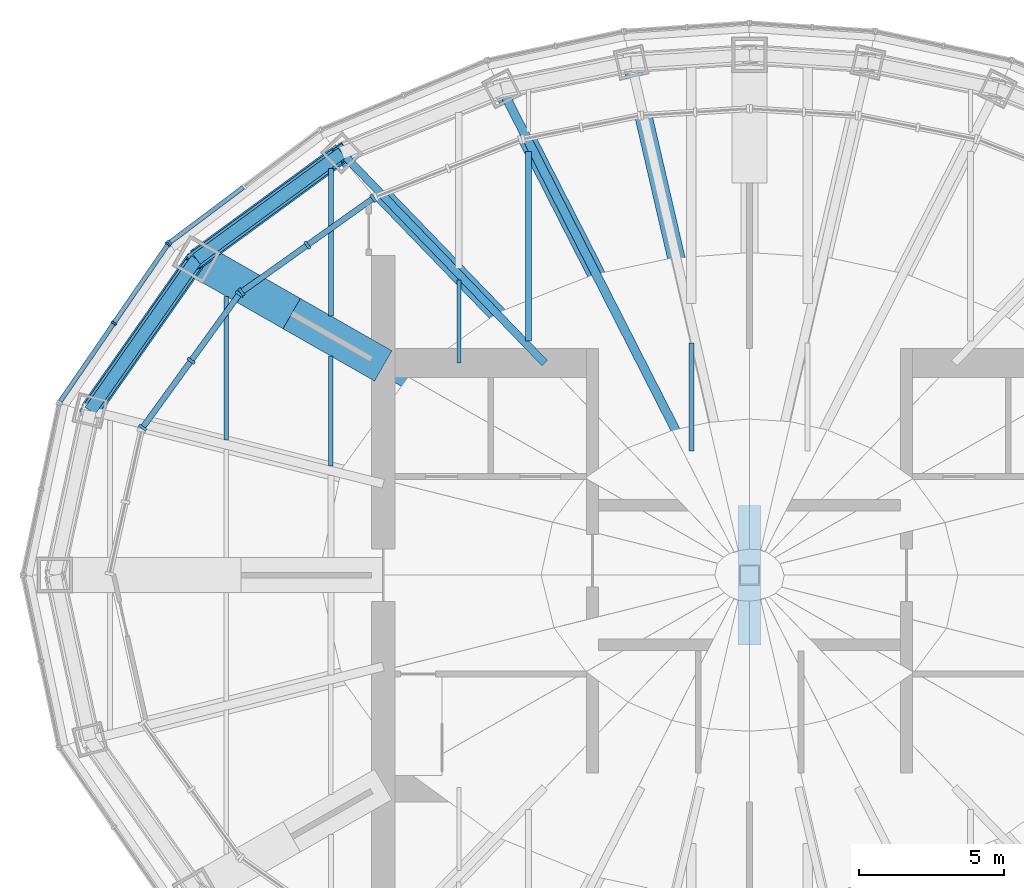
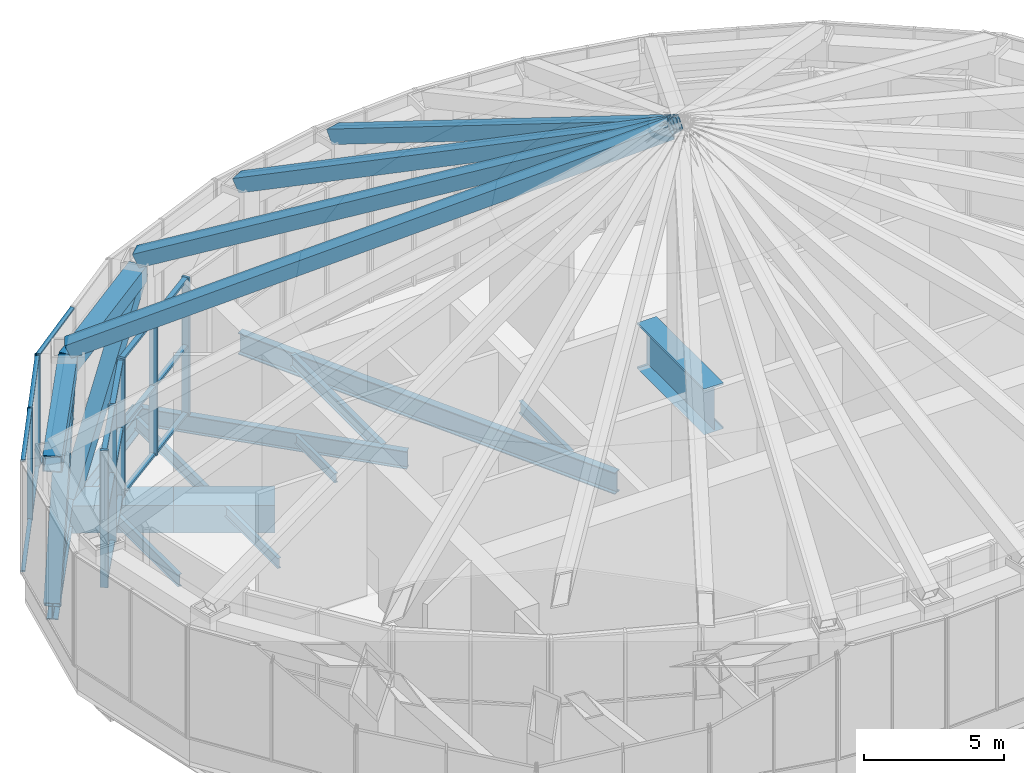
# One storey, part 6 of 21: 33 members, 15 beams, 4 elements without a shape of their own.
"""IFC4 building model written with IfcOpenShell, lengths in metres."""

from ifc_helpers import new_model, si_unit, direction, frame, origin, origin_2d, place, context, subcontext, project, spatial, rectangle, hollow_rectangle, i_section, extrude, material, material_profile, profile_set, type_object, element, aggregate, save


model = new_model("IFC4")

# Units and contexts
model_context = context("Model", 3, precision=1e-05, world=origin(), true_north=direction((0.0, 1.0)))
body_context = subcontext(model_context, "Body", "Model", "MODEL_VIEW")
ifc_project = project(units=[si_unit("LENGTHUNIT", "METRE"), si_unit("AREAUNIT", "SQUARE_METRE"), si_unit("VOLUMEUNIT", "CUBIC_METRE"), si_unit("PLANEANGLEUNIT", "RADIAN"), si_unit("MASSUNIT", "GRAM", prefix="KILO")], contexts=[model_context])

# Site, building, storey
site_placement = place(None, origin())
site = spatial("IfcSite", under=ifc_project, at=site_placement, CompositionType="ELEMENT")
building_placement = place(site_placement, origin())
building = spatial("IfcBuilding", under=site, at=building_placement, Name="Lantaw Convention Tower", CompositionType="ELEMENT")
storey_placement = place(building_placement, frame((0.0, 0.0, 290.39990234375)))
storey = spatial("IfcBuildingStorey", under=building, at=storey_placement, Name="L67", CompositionType="ELEMENT", Elevation=290.39990234375)

# Beams
ifc_material_1 = material(Name="Steel ASTM A992", Category="steel")
ifc_material_profile_1 = material_profile(ifc_material_1, i_section(OverallWidth=0.424072265625, OverallDepth=0.947509765625, WebThickness=0.02392578125, FlangeThickness=0.042724609375, FilletRadius=0.012451171875, at=origin_2d()), Name="W36X302")
ifc_profile_set_1 = profile_set([ifc_material_profile_1], Name="Steel ASTM A992")
beam_type_1 = type_object("IfcBeamType", Name="Beam BC W36X302", PredefinedType="SPANDREL", material=ifc_profile_set_1)
beam_1_placement = place(storey_placement, frame((-14.027587890625, 14.526123046875, -0.673583984375), z_axis=(-0.807371616826, -0.59004328006, 0.0), x_axis=(0.59004328006, -0.807371616826, 0.0)))
element("IfcBeam", 1, at=beam_1_placement, inside=storey, type_object=beam_type_1, Name="Belt truss chord 10", PredefinedType="SPANDREL", context=body_context, shape_type="SweptSolid", body=[
    extrude(i_section(OverallWidth=0.424072265625, OverallDepth=0.947509765625, WebThickness=0.02392578125, FlangeThickness=0.042724609375, FilletRadius=0.012451171875, at=origin_2d()), origin(), (0.0, 0.0, 1.0), 6.192138671875),
])
beam_2_placement = place(storey_placement, frame((-19.02685546875, 10.87255859375, -0.673583984375), z_axis=(-0.574400527612, -0.81857439117, 0.0), x_axis=(0.81857439117, -0.574400527612, 0.0)))
element("IfcBeam", 2, at=beam_2_placement, inside=storey, type_object=beam_type_1, Name="Belt truss chord 11", PredefinedType="SPANDREL", context=body_context, shape_type="SweptSolid", body=[
    extrude(i_section(OverallWidth=0.424072265625, OverallDepth=0.947509765625, WebThickness=0.02392578125, FlangeThickness=0.042724609375, FilletRadius=0.012451171875, at=origin_2d()), origin(), (0.0, 0.0, 1.0), 6.3720703125),
])
ifc_material_2 = material(Name="Steel EN 10025-3 S460N", Category="steel")
ifc_material_profile_2 = material_profile(ifc_material_2, hollow_rectangle(XDim=1.199951171875, YDim=1.199951171875, WallThickness=0.10009765625, at=origin_2d()), Name="BOX1200X100")
ifc_profile_set_2 = profile_set([ifc_material_profile_2], Name="Steel EN 10025-3 S460N")
beam_type_2 = type_object("IfcBeamType", Name="Beam G BOX1200X100", PredefinedType="BEAM", material=ifc_profile_set_2)
beam_3_placement = place(storey_placement, frame((-15.75, 9.0, -0.7998046875), z_axis=(-0.868235180478, 0.496152870978, 0.0), x_axis=(-0.496152870978, -0.868235180478, 0.0)))
element("IfcBeam", 3, at=beam_3_placement, inside=storey, type_object=beam_type_2, Name="Floor girder on ray 11", PredefinedType="BEAM", context=body_context, shape_type="SweptSolid", body=[
    extrude(hollow_rectangle(XDim=1.199951171875, YDim=1.199951171875, WallThickness=0.10009765625, at=origin_2d()), origin(), (0.0, 0.0, 1.0), 3.774169921875),
])
ifc_material_profile_3 = material_profile(ifc_material_1, i_section(OverallWidth=0.2666015625, OverallDepth=0.76953125, WebThickness=0.015625, FlangeThickness=0.025390625, FilletRadius=0.0126953125, at=origin_2d()), Name="W30X132")
ifc_profile_set_3 = profile_set([ifc_material_profile_3], Name="Steel ASTM A992")
beam_type_3 = type_object("IfcBeamType", Name="Beam G W30X132", PredefinedType="BEAM", material=ifc_profile_set_3)
beam_4_placement = place(storey_placement, frame((-7.049560546875, 7.300048828125, -0.584716796875), z_axis=(-0.694652631285, 0.71934534255, 0.0), x_axis=(-0.71934534255, -0.694652631285, 0.0)))
element("IfcBeam", 4, at=beam_4_placement, inside=storey, type_object=beam_type_3, Name="Floor girder on ray 10", PredefinedType="BEAM", context=body_context, shape_type="SweptSolid", body=[
    extrude(i_section(OverallWidth=0.2666015625, OverallDepth=0.76953125, WebThickness=0.015625, FlangeThickness=0.025390625, FilletRadius=0.0126953125, at=origin_2d()), origin(), (0.0, 0.0, 1.0), 10.04541015625),
])
ifc_material_profile_4 = material_profile(ifc_material_1, i_section(OverallWidth=0.307373046875, OverallDepth=0.9423828125, WebThickness=0.022216796875, FlangeThickness=0.039794921875, FilletRadius=0.0126953125, at=origin_2d()), Name="W36X232")
ifc_profile_set_4 = profile_set([ifc_material_profile_4], Name="Steel ASTM A992")
beam_type_4 = type_object("IfcBeamType", Name="Beam G W36X232", PredefinedType="BEAM", material=ifc_profile_set_4)
beam_5_placement = place(storey_placement, frame((-1.222900390625, 2.39990234375, -0.671142578125), z_axis=(-0.453985554173, 0.891009044063, 0.0), x_axis=(-0.891009044063, -0.453985554173, 0.0)))
element("IfcBeam", 5, at=beam_5_placement, inside=storey, type_object=beam_type_4, Name="Floor girder on ray 9", PredefinedType="BEAM", context=body_context, shape_type="SweptSolid", body=[
    extrude(i_section(OverallWidth=0.307373046875, OverallDepth=0.9423828125, WebThickness=0.022216796875, FlangeThickness=0.039794921875, FilletRadius=0.0126953125, at=origin_2d()), origin(), (0.0, 0.0, 1.0), 16.091796875),
])
ifc_material_profile_5 = material_profile(ifc_material_1, i_section(OverallWidth=0.140380859375, OverallDepth=0.40380859375, WebThickness=0.007080078125, FlangeThickness=0.01123046875, FilletRadius=0.01025390625, at=origin_2d()), Name="W16X31")
ifc_profile_set_5 = profile_set([ifc_material_profile_5], Name="Steel ASTM A992")
beam_type_5 = type_object("IfcBeamType", Name="Beam J W16X31", PredefinedType="JOIST", material=ifc_profile_set_5)
beam_6_placement = place(storey_placement, frame((-10.0, 7.300048828125, -0.40185546875), z_axis=(0.0, 1.0, 0.0), x_axis=(-1.0, 0.0, 0.0)))
element("IfcBeam", 6, at=beam_6_placement, inside=storey, type_object=beam_type_5, Name="Floor joist", PredefinedType="JOIST", context=body_context, shape_type="SweptSolid", body=[
    extrude(i_section(OverallWidth=0.140380859375, OverallDepth=0.40380859375, WebThickness=0.007080078125, FlangeThickness=0.01123046875, FilletRadius=0.01025390625, at=origin_2d()), origin(), (0.0, 0.0, 1.0), 2.86328125),
])
ifc_material_profile_6 = material_profile(ifc_material_1, i_section(OverallWidth=0.15234375, OverallDepth=0.449462890625, WebThickness=0.007568359375, FlangeThickness=0.0107421875, FilletRadius=0.01025390625, at=origin_2d()), Name="W18X35")
ifc_profile_set_6 = profile_set([ifc_material_profile_6], Name="Steel ASTM A992")
beam_type_6 = type_object("IfcBeamType", Name="Beam J W18X35", PredefinedType="JOIST", material=ifc_profile_set_6)
beam_7_placement = place(storey_placement, frame((-14.39990234375, 3.748779296875, -0.4248046875), z_axis=(0.0, 1.0, 0.0), x_axis=(-1.0, 0.0, 0.0)))
element("IfcBeam", 7, at=beam_7_placement, inside=storey, type_object=beam_type_6, Name="Floor joist", PredefinedType="JOIST", context=body_context, shape_type="SweptSolid", body=[
    extrude(i_section(OverallWidth=0.15234375, OverallDepth=0.449462890625, WebThickness=0.007568359375, FlangeThickness=0.0107421875, FilletRadius=0.01025390625, at=origin_2d()), origin(), (0.0, 0.0, 1.0), 3.788818359375),
])
ifc_material_profile_7 = material_profile(ifc_material_1, i_section(OverallWidth=0.165771484375, OverallDepth=0.5283203125, WebThickness=0.009765625, FlangeThickness=0.013671875, FilletRadius=0.012939453125, at=origin_2d()), Name="W21X50")
ifc_profile_set_7 = profile_set([ifc_material_profile_7], Name="Steel ASTM A992")
beam_type_7 = type_object("IfcBeamType", Name="Beam J W21X50", PredefinedType="JOIST", material=ifc_profile_set_7)
beam_8_placement = place(storey_placement, frame((-18.0, 4.646240234375, -0.464111328125), z_axis=(0.0, 1.0, 0.0), x_axis=(-1.0, 0.0, 0.0)))
element("IfcBeam", 8, at=beam_8_placement, inside=storey, type_object=beam_type_7, Name="Floor joist", PredefinedType="JOIST", context=body_context, shape_type="SweptSolid", body=[
    extrude(i_section(OverallWidth=0.165771484375, OverallDepth=0.5283203125, WebThickness=0.009765625, FlangeThickness=0.013671875, FilletRadius=0.012939453125, at=origin_2d()), origin(), (0.0, 0.0, 1.0), 4.948486328125),
])
beam_9_placement = place(storey_placement, frame((-14.39990234375, 8.919677734375, -0.464111328125), z_axis=(0.0, 1.0, 0.0), x_axis=(-1.0, 0.0, 0.0)))
element("IfcBeam", 9, at=beam_9_placement, inside=storey, type_object=beam_type_7, Name="Floor joist", PredefinedType="JOIST", context=body_context, shape_type="SweptSolid", body=[
    extrude(i_section(OverallWidth=0.165771484375, OverallDepth=0.5283203125, WebThickness=0.009765625, FlangeThickness=0.013671875, FilletRadius=0.012939453125, at=origin_2d()), origin(), (0.0, 0.0, 1.0), 5.071533203125),
])
beam_10_placement = place(storey_placement, frame((-2.0, 4.263671875, -0.464111328125), z_axis=(0.0, 1.0, 0.0), x_axis=(-1.0, 0.0, 0.0)))
element("IfcBeam", 10, at=beam_10_placement, inside=storey, type_object=beam_type_7, Name="Floor joist", PredefinedType="JOIST", context=body_context, shape_type="SweptSolid", body=[
    extrude(i_section(OverallWidth=0.165771484375, OverallDepth=0.5283203125, WebThickness=0.009765625, FlangeThickness=0.013671875, FilletRadius=0.012939453125, at=origin_2d()), origin(), (0.0, 0.0, 1.0), 3.716064453125),
])
ifc_material_profile_8 = material_profile(ifc_material_1, i_section(OverallWidth=0.209228515625, OverallDepth=0.533447265625, WebThickness=0.01025390625, FlangeThickness=0.015625, FilletRadius=0.012939453125, at=origin_2d()), Name="W21X62")
ifc_profile_set_8 = profile_set([ifc_material_profile_8], Name="Steel ASTM A992")
beam_type_8 = type_object("IfcBeamType", Name="Beam J W21X62", PredefinedType="JOIST", material=ifc_profile_set_8)
beam_11_placement = place(storey_placement, frame((-7.60009765625, 8.06201171875, -0.466552734375), z_axis=(0.0, 1.0, 0.0), x_axis=(-1.0, 0.0, 0.0)))
element("IfcBeam", 11, at=beam_11_placement, inside=storey, type_object=beam_type_8, Name="Floor joist", PredefinedType="JOIST", context=body_context, shape_type="SweptSolid", body=[
    extrude(i_section(OverallWidth=0.209228515625, OverallDepth=0.533447265625, WebThickness=0.01025390625, FlangeThickness=0.015625, FilletRadius=0.012939453125, at=origin_2d()), origin(), (0.0, 0.0, 1.0), 6.515380859375),
])
ifc_material_profile_9 = material_profile(ifc_material_2, hollow_rectangle(XDim=1.199951171875, YDim=1.199951171875, WallThickness=0.10009765625, at=origin_2d()), Name="BOX1200X100")
ifc_profile_set_9 = profile_set([ifc_material_profile_9], Name="Steel EN 10025-3 S460N")
beam_type_9 = type_object("IfcBeamType", Name="Beam OC BOX1200X100", PredefinedType="BEAM", material=ifc_profile_set_9)
beam_12_placement = place(storey_placement, frame((-12.60009765625, 7.199951171875, -0.7998046875), z_axis=(-0.868230718294, 0.496160679428, 0.0), x_axis=(-0.496160679428, -0.868230718294, 0.0)))
element("IfcBeam", 12, at=beam_12_placement, inside=storey, type_object=beam_type_9, Name="Outrigger chord on ray 11", PredefinedType="BEAM", context=body_context, shape_type="SweptSolid", body=[
    extrude(hollow_rectangle(XDim=1.199951171875, YDim=1.199951171875, WallThickness=0.10009765625, at=origin_2d()), origin(), (0.0, 0.0, 1.0), 3.6279296875),
])
ifc_material_3 = material(Name="Steel ASTM A572 Grade 50", Category="steel")
ifc_material_profile_10 = material_profile(ifc_material_3, i_section(OverallWidth=0.800048828125, OverallDepth=2.0, WebThickness=0.030029296875, FlangeThickness=0.080078125, at=origin_2d()), Name="PG2000X800X30X80")
ifc_profile_set_10 = profile_set([ifc_material_profile_10], Name="Steel ASTM A572 Grade 50")
beam_type_10 = type_object("IfcBeamType", Name="Beam crown mast girder PG2000X800X30X80", PredefinedType="BEAM", material=ifc_profile_set_10)
beam_13_placement = place(storey_placement, frame((0.0, -2.39990234375, 5.0), z_axis=(0.0, 1.0, 0.0), x_axis=(-1.0, 0.0, 0.0)))
element("IfcBeam", 13, at=beam_13_placement, inside=storey, type_object=beam_type_10, Name="Crown mast girder", PredefinedType="BEAM", context=body_context, shape_type="SweptSolid", body=[
    extrude(i_section(OverallWidth=0.800048828125, OverallDepth=2.0, WebThickness=0.030029296875, FlangeThickness=0.080078125, at=origin_2d()), origin(), (0.0, 0.0, 1.0), 4.7998046875),
])
ifc_material_profile_11 = material_profile(ifc_material_3, hollow_rectangle(XDim=0.699951171875, YDim=0.699951171875, WallThickness=0.0400390625, at=origin_2d()), Name="BOX700X40")
ifc_profile_set_11 = profile_set([ifc_material_profile_11], Name="Steel ASTM A572 Grade 50")
beam_type_11 = type_object("IfcBeamType", Name="Beam crown ring BOX700X40", PredefinedType="SPANDREL", material=ifc_profile_set_11)
beam_14_placement = place(storey_placement, frame((-14.027587890625, 14.526123046875, 5.650146484375), z_axis=(-0.807371616826, -0.59004328006, 0.0), x_axis=(0.59004328006, -0.807371616826, 0.0)))
element("IfcBeam", 14, at=beam_14_placement, inside=storey, type_object=beam_type_11, Name="Crown ring beam", PredefinedType="SPANDREL", context=body_context, shape_type="SweptSolid", body=[
    extrude(hollow_rectangle(XDim=0.699951171875, YDim=0.699951171875, WallThickness=0.0400390625, at=origin_2d()), origin(), (0.0, 0.0, 1.0), 6.192138671875),
])
beam_15_placement = place(storey_placement, frame((-19.02685546875, 10.87255859375, 5.650146484375), z_axis=(-0.574400527612, -0.81857439117, 0.0), x_axis=(0.81857439117, -0.574400527612, 0.0)))
element("IfcBeam", 15, at=beam_15_placement, inside=storey, type_object=beam_type_11, Name="Crown ring beam", PredefinedType="SPANDREL", context=body_context, shape_type="SweptSolid", body=[
    extrude(hollow_rectangle(XDim=0.699951171875, YDim=0.699951171875, WallThickness=0.0400390625, at=origin_2d()), origin(), (0.0, 0.0, 1.0), 6.3720703125),
])

# Curtain wall, members
ifc_material_4 = material(Name="Aluminium framed curtain wall", Category="aluminium")
curtain_wall_type_1 = type_object("IfcCurtainWallType", Name="LANTERN glazing curtain wall, pale aluminium", PredefinedType="USERDEFINED", material=ifc_material_4)
curtain_wall_1_placement = place(storey_placement, origin())
curtain_wall_1 = element("IfcCurtainWall", 16, at=curtain_wall_1_placement, inside=storey, type_object=curtain_wall_type_1, Name="LANTERN glazing curtain wall, pale aluminium L67", ObjectType="LANTERN GLAZING", PredefinedType="USERDEFINED")
ifc_material_5 = material(Name="Aluminium 6063-T6", Category="aluminium")
ifc_material_profile_12 = material_profile(ifc_material_5, rectangle(XDim=0.300048828125, YDim=0.10009765625, at=origin_2d()), Name="CW-LN mullion 100x300")
ifc_profile_set_12 = profile_set([ifc_material_profile_12], Name="Aluminium 6063-T6")
member_type_1 = type_object("IfcMemberType", Name="CW-LN mullion 100x300", PredefinedType="MULLION", material=ifc_profile_set_12)
member_1_placement = place(storey_placement, frame((-12.946533203125, 12.966552734375, 0.0), z_axis=(0.0, 0.0, 1.0), x_axis=(0.579683901346, -0.814841441337, 0.0)))
member_1 = element("IfcMember", 17, at=member_1_placement, type_object=member_type_1, Name="CW-LN mullion 1", PredefinedType="MULLION", context=body_context, shape_type="SweptSolid", body=[
    extrude(rectangle(XDim=0.300048828125, YDim=0.10009765625, at=origin_2d()), origin(), (0.0, 0.0, 1.0), 6.0),
])
member_2_placement = place(storey_placement, frame((-15.212158203125, 11.354736328125, 0.0), z_axis=(0.0, 0.0, 1.0), x_axis=(0.579683901346, -0.814841441337, 0.0)))
member_2 = element("IfcMember", 18, at=member_2_placement, type_object=member_type_1, Name="CW-LN mullion 2", PredefinedType="MULLION", context=body_context, shape_type="SweptSolid", body=[
    extrude(rectangle(XDim=0.300048828125, YDim=0.10009765625, at=origin_2d()), origin(), (0.0, 0.0, 1.0), 6.0),
])
member_3_placement = place(storey_placement, frame((-17.477783203125, 9.7431640625, 0.0), z_axis=(0.0, 0.0, 1.0), x_axis=(0.579683901346, -0.814841441337, 0.0)))
member_3 = element("IfcMember", 19, at=member_3_placement, type_object=member_type_1, Name="CW-LN mullion 3", PredefinedType="MULLION", context=body_context, shape_type="SweptSolid", body=[
    extrude(rectangle(XDim=0.300048828125, YDim=0.10009765625, at=origin_2d()), origin(), (0.0, 0.0, 1.0), 6.0),
])

curtain_wall_2_placement = place(storey_placement, origin())
curtain_wall_2 = element("IfcCurtainWall", 20, at=curtain_wall_2_placement, inside=storey, type_object=curtain_wall_type_1, Name="LANTERN glazing curtain wall, pale aluminium L67", ObjectType="LANTERN GLAZING", PredefinedType="USERDEFINED")
member_4_placement = place(storey_placement, frame((-17.5478515625, 9.673583984375, 0.0), z_axis=(0.0, 0.0, 1.0), x_axis=(0.809741800193, -0.586786346995, 0.0)))
member_4 = element("IfcMember", 21, at=member_4_placement, type_object=member_type_1, Name="CW-LN mullion 1", PredefinedType="MULLION", context=body_context, shape_type="SweptSolid", body=[
    extrude(rectangle(XDim=0.300048828125, YDim=0.10009765625, at=origin_2d()), origin(), (0.0, 0.0, 1.0), 6.0),
])
member_5_placement = place(storey_placement, frame((-19.213623046875, 7.375, 0.0), z_axis=(0.0, 0.0, 1.0), x_axis=(0.809741800193, -0.586786346995, 0.0)))
member_5 = element("IfcMember", 22, at=member_5_placement, type_object=member_type_1, Name="CW-LN mullion 2", PredefinedType="MULLION", context=body_context, shape_type="SweptSolid", body=[
    extrude(rectangle(XDim=0.300048828125, YDim=0.10009765625, at=origin_2d()), origin(), (0.0, 0.0, 1.0), 6.0),
])
member_6_placement = place(storey_placement, frame((-20.87939453125, 5.076171875, 0.0), z_axis=(0.0, 0.0, 1.0), x_axis=(0.809741800193, -0.586786346995, 0.0)))
member_6 = element("IfcMember", 23, at=member_6_placement, type_object=member_type_1, Name="CW-LN mullion 3", PredefinedType="MULLION", context=body_context, shape_type="SweptSolid", body=[
    extrude(rectangle(XDim=0.300048828125, YDim=0.10009765625, at=origin_2d()), origin(), (0.0, 0.0, 1.0), 6.0),
])

# Member
ifc_material_profile_13 = material_profile(ifc_material_5, rectangle(XDim=0.199951171875, YDim=0.10009765625, at=origin_2d()), Name="CW-LN transom 100x200")
ifc_profile_set_13 = profile_set([ifc_material_profile_13], Name="Aluminium 6063-T6")
member_type_2 = type_object("IfcMemberType", Name="CW-LN transom 100x200", PredefinedType="USERDEFINED", material=ifc_profile_set_13)
member_7_placement = place(storey_placement, frame((-12.9873046875, 12.9375, 0.050048828125), z_axis=(-0.814852067311, -0.579668964495, 0.0), x_axis=(0.579668964495, -0.814852067311, 0.0)))
member_7 = element("IfcMember", 24, at=member_7_placement, type_object=member_type_2, Name="CW-LN transom 1.1", ObjectType="TRANSOM", PredefinedType="USERDEFINED", context=body_context, shape_type="SweptSolid", body=[
    extrude(rectangle(XDim=0.199951171875, YDim=0.10009765625, at=origin_2d()), origin(), (0.0, 0.0, 1.0), 2.680419921875),
])

member_8_placement = place(storey_placement, frame((-12.9873046875, 12.9375, 3.0), z_axis=(-0.814852067311, -0.579668964495, 0.0), x_axis=(0.579668964495, -0.814852067311, 0.0)))
member_8 = element("IfcMember", 25, at=member_8_placement, type_object=member_type_2, Name="CW-LN transom 1.2", ObjectType="TRANSOM", PredefinedType="USERDEFINED", context=body_context, shape_type="SweptSolid", body=[
    extrude(rectangle(XDim=0.199951171875, YDim=0.10009765625, at=origin_2d()), origin(), (0.0, 0.0, 1.0), 2.680419921875),
])

member_9_placement = place(storey_placement, frame((-12.9873046875, 12.9375, 5.9501953125), z_axis=(-0.814852067311, -0.579668964495, 0.0), x_axis=(0.579668964495, -0.814852067311, 0.0)))
member_9 = element("IfcMember", 26, at=member_9_placement, type_object=member_type_2, Name="CW-LN transom 1.3", ObjectType="TRANSOM", PredefinedType="USERDEFINED", context=body_context, shape_type="SweptSolid", body=[
    extrude(rectangle(XDim=0.199951171875, YDim=0.10009765625, at=origin_2d()), origin(), (0.0, 0.0, 1.0), 2.680419921875),
])

member_10_placement = place(storey_placement, frame((-15.2529296875, 11.325927734375, 0.050048828125), z_axis=(-0.814809043546, -0.579729439098, 0.0), x_axis=(0.579729439098, -0.814809043546, 0.0)))
member_10 = element("IfcMember", 27, at=member_10_placement, type_object=member_type_2, Name="CW-LN transom 2.1", ObjectType="TRANSOM", PredefinedType="USERDEFINED", context=body_context, shape_type="SweptSolid", body=[
    extrude(rectangle(XDim=0.199951171875, YDim=0.10009765625, at=origin_2d()), origin(), (0.0, 0.0, 1.0), 2.680419921875),
])

member_11_placement = place(storey_placement, frame((-15.2529296875, 11.325927734375, 3.0), z_axis=(-0.814809043546, -0.579729439098, 0.0), x_axis=(0.579729439098, -0.814809043546, 0.0)))
member_11 = element("IfcMember", 28, at=member_11_placement, type_object=member_type_2, Name="CW-LN transom 2.2", ObjectType="TRANSOM", PredefinedType="USERDEFINED", context=body_context, shape_type="SweptSolid", body=[
    extrude(rectangle(XDim=0.199951171875, YDim=0.10009765625, at=origin_2d()), origin(), (0.0, 0.0, 1.0), 2.680419921875),
])

member_12_placement = place(storey_placement, frame((-15.2529296875, 11.325927734375, 5.9501953125), z_axis=(-0.814809043546, -0.579729439098, 0.0), x_axis=(0.579729439098, -0.814809043546, 0.0)))
member_12 = element("IfcMember", 29, at=member_12_placement, type_object=member_type_2, Name="CW-LN transom 2.3", ObjectType="TRANSOM", PredefinedType="USERDEFINED", context=body_context, shape_type="SweptSolid", body=[
    extrude(rectangle(XDim=0.199951171875, YDim=0.10009765625, at=origin_2d()), origin(), (0.0, 0.0, 1.0), 2.680419921875),
])

aggregate(curtain_wall_1, [member_1, member_2, member_3, member_7, member_8, member_9, member_10, member_11, member_12])

member_13_placement = place(storey_placement, frame((-17.5771484375, 9.633056640625, 0.050048828125), z_axis=(-0.586798118951, -0.809733269414, 0.0), x_axis=(0.809733269414, -0.586798118951, 0.0)))
member_13 = element("IfcMember", 30, at=member_13_placement, type_object=member_type_2, Name="CW-LN transom 1.1", ObjectType="TRANSOM", PredefinedType="USERDEFINED", context=body_context, shape_type="SweptSolid", body=[
    extrude(rectangle(XDim=0.199951171875, YDim=0.10009765625, at=origin_2d()), origin(), (0.0, 0.0, 1.0), 2.739013671875),
])

member_14_placement = place(storey_placement, frame((-17.5771484375, 9.633056640625, 3.0), z_axis=(-0.586798118951, -0.809733269414, 0.0), x_axis=(0.809733269414, -0.586798118951, 0.0)))
member_14 = element("IfcMember", 31, at=member_14_placement, type_object=member_type_2, Name="CW-LN transom 1.2", ObjectType="TRANSOM", PredefinedType="USERDEFINED", context=body_context, shape_type="SweptSolid", body=[
    extrude(rectangle(XDim=0.199951171875, YDim=0.10009765625, at=origin_2d()), origin(), (0.0, 0.0, 1.0), 2.739013671875),
])

member_15_placement = place(storey_placement, frame((-17.5771484375, 9.633056640625, 5.9501953125), z_axis=(-0.586798118951, -0.809733269414, 0.0), x_axis=(0.809733269414, -0.586798118951, 0.0)))
member_15 = element("IfcMember", 32, at=member_15_placement, type_object=member_type_2, Name="CW-LN transom 1.3", ObjectType="TRANSOM", PredefinedType="USERDEFINED", context=body_context, shape_type="SweptSolid", body=[
    extrude(rectangle(XDim=0.199951171875, YDim=0.10009765625, at=origin_2d()), origin(), (0.0, 0.0, 1.0), 2.739013671875),
])

member_16_placement = place(storey_placement, frame((-19.242919921875, 7.33447265625, 0.050048828125), z_axis=(-0.586798118951, -0.809733269414, 0.0), x_axis=(0.809733269414, -0.586798118951, 0.0)))
member_16 = element("IfcMember", 33, at=member_16_placement, type_object=member_type_2, Name="CW-LN transom 2.1", ObjectType="TRANSOM", PredefinedType="USERDEFINED", context=body_context, shape_type="SweptSolid", body=[
    extrude(rectangle(XDim=0.199951171875, YDim=0.10009765625, at=origin_2d()), origin(), (0.0, 0.0, 1.0), 2.739013671875),
])

member_17_placement = place(storey_placement, frame((-19.242919921875, 7.33447265625, 3.0), z_axis=(-0.586798118951, -0.809733269414, 0.0), x_axis=(0.809733269414, -0.586798118951, 0.0)))
member_17 = element("IfcMember", 34, at=member_17_placement, type_object=member_type_2, Name="CW-LN transom 2.2", ObjectType="TRANSOM", PredefinedType="USERDEFINED", context=body_context, shape_type="SweptSolid", body=[
    extrude(rectangle(XDim=0.199951171875, YDim=0.10009765625, at=origin_2d()), origin(), (0.0, 0.0, 1.0), 2.739013671875),
])

member_18_placement = place(storey_placement, frame((-19.242919921875, 7.33447265625, 5.9501953125), z_axis=(-0.586798118951, -0.809733269414, 0.0), x_axis=(0.809733269414, -0.586798118951, 0.0)))
member_18 = element("IfcMember", 35, at=member_18_placement, type_object=member_type_2, Name="CW-LN transom 2.3", ObjectType="TRANSOM", PredefinedType="USERDEFINED", context=body_context, shape_type="SweptSolid", body=[
    extrude(rectangle(XDim=0.199951171875, YDim=0.10009765625, at=origin_2d()), origin(), (0.0, 0.0, 1.0), 2.739013671875),
])

aggregate(curtain_wall_2, [member_4, member_5, member_6, member_13, member_14, member_15, member_16, member_17, member_18])

# Curtain wall, member
curtain_wall_type_2 = type_object("IfcCurtainWallType", Name="Plant floor louvre wall, pale aluminium", PredefinedType="USERDEFINED", material=ifc_material_4)
curtain_wall_3_placement = place(storey_placement, origin())
curtain_wall_3 = element("IfcCurtainWall", 36, at=curtain_wall_3_placement, inside=storey, type_object=curtain_wall_type_2, Name="Plant floor louvre wall, pale aluminium L67", ObjectType="LOUVRE WALL", PredefinedType="USERDEFINED")
ifc_material_profile_14 = material_profile(ifc_material_5, rectangle(XDim=0.199951171875, YDim=0.070068359375, at=origin_2d()), Name="CW-LV mullion 70x200")
ifc_profile_set_14 = profile_set([ifc_material_profile_14], Name="Aluminium 6063-T6")
member_type_3 = type_object("IfcMemberType", Name="CW-LV mullion 70x200", PredefinedType="MULLION", material=ifc_profile_set_14)
member_19_placement = place(storey_placement, frame((-19.953857421875, 11.439208984375, 1.10009765625), z_axis=(0.0, 0.0, 1.0), x_axis=(0.600642756762, -0.799517528732, 0.0)))
member_19 = element("IfcMember", 37, at=member_19_placement, type_object=member_type_3, Name="CW-LV mullion 3", PredefinedType="MULLION", context=body_context, shape_type="SweptSolid", body=[
    extrude(rectangle(XDim=0.199951171875, YDim=0.070068359375, at=origin_2d()), origin(), (0.0, 0.0, 1.0), 4.89990234375),
])

# Curtain wall, members
curtain_wall_4_placement = place(storey_placement, origin())
curtain_wall_4 = element("IfcCurtainWall", 38, at=curtain_wall_4_placement, inside=storey, type_object=curtain_wall_type_2, Name="Plant floor louvre wall, pale aluminium L67", ObjectType="LOUVRE WALL", PredefinedType="USERDEFINED")
member_20_placement = place(storey_placement, frame((-20.001708984375, 11.389404296875, 1.10009765625), z_axis=(0.0, 0.0, 1.0), x_axis=(0.824449977189, -0.565934832921, 0.0)))
member_20 = element("IfcMember", 39, at=member_20_placement, type_object=member_type_3, Name="CW-LV mullion 1", PredefinedType="MULLION", context=body_context, shape_type="SweptSolid", body=[
    extrude(rectangle(XDim=0.199951171875, YDim=0.070068359375, at=origin_2d()), origin(), (0.0, 0.0, 1.0), 4.89990234375),
])
member_21_placement = place(storey_placement, frame((-21.8681640625, 8.67041015625, 1.10009765625), z_axis=(0.0, 0.0, 1.0), x_axis=(0.824449977189, -0.565934832921, 0.0)))
member_21 = element("IfcMember", 40, at=member_21_placement, type_object=member_type_3, Name="CW-LV mullion 2", PredefinedType="MULLION", context=body_context, shape_type="SweptSolid", body=[
    extrude(rectangle(XDim=0.199951171875, YDim=0.070068359375, at=origin_2d()), origin(), (0.0, 0.0, 1.0), 4.89990234375),
])

# Member
ifc_material_profile_15 = material_profile(ifc_material_5, rectangle(XDim=0.159912109375, YDim=0.070068359375, at=origin_2d()), Name="CW-LV transom 70x160")
ifc_profile_set_15 = profile_set([ifc_material_profile_15], Name="Aluminium 6063-T6")
member_type_4 = type_object("IfcMemberType", Name="CW-LV transom 70x160", PredefinedType="USERDEFINED", material=ifc_profile_set_15)
member_22_placement = place(storey_placement, frame((-17.414794921875, 13.346923828125, 1.135009765625), z_axis=(-0.799496049611, -0.600671346626, 0.0), x_axis=(0.600671346626, -0.799496049611, 0.0)))
member_22 = element("IfcMember", 41, at=member_22_placement, type_object=member_type_4, Name="CW-LV transom 2.1", ObjectType="TRANSOM", PredefinedType="USERDEFINED", context=body_context, shape_type="SweptSolid", body=[
    extrude(rectangle(XDim=0.159912109375, YDim=0.070068359375, at=origin_2d()), origin(), (0.0, 0.0, 1.0), 3.14111328125),
])

member_23_placement = place(storey_placement, frame((-17.414794921875, 13.346923828125, 5.965087890625), z_axis=(-0.799496049611, -0.600671346626, 0.0), x_axis=(0.600671346626, -0.799496049611, 0.0)))
member_23 = element("IfcMember", 42, at=member_23_placement, type_object=member_type_4, Name="CW-LV transom 2.2", ObjectType="TRANSOM", PredefinedType="USERDEFINED", context=body_context, shape_type="SweptSolid", body=[
    extrude(rectangle(XDim=0.159912109375, YDim=0.070068359375, at=origin_2d()), origin(), (0.0, 0.0, 1.0), 3.14111328125),
])

aggregate(curtain_wall_3, [member_19, member_22, member_23])

member_24_placement = place(storey_placement, frame((-20.021484375, 11.360595703125, 1.135009765625), z_axis=(-0.56594129057, -0.824445544368, 0.0), x_axis=(0.824445544368, -0.56594129057, 0.0)))
member_24 = element("IfcMember", 43, at=member_24_placement, type_object=member_type_4, Name="CW-LV transom 1.1", ObjectType="TRANSOM", PredefinedType="USERDEFINED", context=body_context, shape_type="SweptSolid", body=[
    extrude(rectangle(XDim=0.159912109375, YDim=0.070068359375, at=origin_2d()), origin(), (0.0, 0.0, 1.0), 3.22802734375),
])

member_25_placement = place(storey_placement, frame((-20.021484375, 11.360595703125, 5.965087890625), z_axis=(-0.56594129057, -0.824445544368, 0.0), x_axis=(0.824445544368, -0.56594129057, 0.0)))
member_25 = element("IfcMember", 44, at=member_25_placement, type_object=member_type_4, Name="CW-LV transom 1.2", ObjectType="TRANSOM", PredefinedType="USERDEFINED", context=body_context, shape_type="SweptSolid", body=[
    extrude(rectangle(XDim=0.159912109375, YDim=0.070068359375, at=origin_2d()), origin(), (0.0, 0.0, 1.0), 3.22802734375),
])

member_26_placement = place(storey_placement, frame((-21.887939453125, 8.6416015625, 1.135009765625), z_axis=(-0.56594129057, -0.824445544368, 0.0), x_axis=(0.824445544368, -0.56594129057, 0.0)))
member_26 = element("IfcMember", 45, at=member_26_placement, type_object=member_type_4, Name="CW-LV transom 2.1", ObjectType="TRANSOM", PredefinedType="USERDEFINED", context=body_context, shape_type="SweptSolid", body=[
    extrude(rectangle(XDim=0.159912109375, YDim=0.070068359375, at=origin_2d()), origin(), (0.0, 0.0, 1.0), 3.22802734375),
])

member_27_placement = place(storey_placement, frame((-21.887939453125, 8.6416015625, 5.965087890625), z_axis=(-0.56594129057, -0.824445544368, 0.0), x_axis=(0.824445544368, -0.56594129057, 0.0)))
member_27 = element("IfcMember", 46, at=member_27_placement, type_object=member_type_4, Name="CW-LV transom 2.2", ObjectType="TRANSOM", PredefinedType="USERDEFINED", context=body_context, shape_type="SweptSolid", body=[
    extrude(rectangle(XDim=0.159912109375, YDim=0.070068359375, at=origin_2d()), origin(), (0.0, 0.0, 1.0), 3.22802734375),
])

aggregate(curtain_wall_4, [member_20, member_21, member_24, member_25, member_26, member_27])

# Members
ifc_material_profile_16 = material_profile(ifc_material_3, hollow_rectangle(XDim=0.60009765625, YDim=0.60009765625, WallThickness=0.031982421875, at=origin_2d()), Name="BOX600X32")
ifc_profile_set_16 = profile_set([ifc_material_profile_16], Name="Steel ASTM A572 Grade 50")
member_type_5 = type_object("IfcMemberType", Name="Member CR BOX600X32", PredefinedType="BRACE", material=ifc_profile_set_16)
member_28_placement = place(storey_placement, frame((-19.02685546875, 10.87255859375, -0.505859375), z_axis=(0.570532803839, 0.416956751939, 0.707558751452), x_axis=(-0.59004328006, 0.807371616826, 0.0)))
element("IfcMember", 47, at=member_28_placement, inside=storey, type_object=member_type_5, Name="Crown ring truss diagonal 10 (upper)", PredefinedType="BRACE", context=body_context, shape_type="SweptSolid", body=[
    extrude(hollow_rectangle(XDim=0.60009765625, YDim=0.60009765625, WallThickness=0.031982421875, at=origin_2d()), origin(), (0.0, 0.0, 1.0), 8.762451171875),
])
member_29_placement = place(storey_placement, frame((-22.68701171875, 5.656494140625, -0.505859375), z_axis=(0.411686509541, 0.586691720675, 0.697357184485), x_axis=(-0.81857439117, 0.574400527612, 0.0)))
element("IfcMember", 48, at=member_29_placement, inside=storey, type_object=member_type_5, Name="Crown ring truss diagonal 11 (upper)", PredefinedType="BRACE", context=body_context, shape_type="SweptSolid", body=[
    extrude(hollow_rectangle(XDim=0.60009765625, YDim=0.60009765625, WallThickness=0.031982421875, at=origin_2d()), origin(), (0.0, 0.0, 1.0), 8.890625),
])
ifc_material_profile_17 = material_profile(ifc_material_3, hollow_rectangle(XDim=0.60009765625, YDim=0.60009765625, WallThickness=0.031982421875, at=origin_2d()), Name="BOX600X32")
ifc_profile_set_17 = profile_set([ifc_material_profile_17], Name="Steel ASTM A572 Grade 50")
member_type_6 = type_object("IfcMemberType", Name="Member crown rib BOX600X32", PredefinedType="RAFTER", material=ifc_profile_set_17)
member_30_placement = place(storey_placement, frame((-4.072998046875, 17.642333984375, 6.300048828125), z_axis=(0.198492707042, -0.859784412746, 0.470501231507), x_axis=(0.974371099371, 0.224946573014, 0.0)))
element("IfcMember", 49, at=member_30_placement, inside=storey, type_object=member_type_6, Name="Crown rib", PredefinedType="RAFTER", context=body_context, shape_type="SweptSolid", body=[
    extrude(hollow_rectangle(XDim=0.60009765625, YDim=0.60009765625, WallThickness=0.031982421875, at=origin_2d()), origin(), (0.0, 0.0, 1.0), 20.191162109375),
])
member_31_placement = place(storey_placement, frame((-8.5283203125, 16.73779296875, 6.300048828125), z_axis=(0.403784173492, -0.792473282167, 0.457104406334), x_axis=(0.891007038942, 0.453989489476, 0.0)))
element("IfcMember", 50, at=member_31_placement, inside=storey, type_object=member_type_6, Name="Crown rib", PredefinedType="RAFTER", context=body_context, shape_type="SweptSolid", body=[
    extrude(hollow_rectangle(XDim=0.60009765625, YDim=0.60009765625, WallThickness=0.031982421875, at=origin_2d()), origin(), (0.0, 0.0, 1.0), 20.782958984375),
])
member_32_placement = place(storey_placement, frame((-14.027587890625, 14.526123046875, 6.300048828125), z_axis=(0.626714651536, -0.648984093946, 0.431333271792), x_axis=(0.719340909743, 0.694657221635, 0.0)))
element("IfcMember", 51, at=member_32_placement, inside=storey, type_object=member_type_6, Name="Crown rib", PredefinedType="RAFTER", context=body_context, shape_type="SweptSolid", body=[
    extrude(hollow_rectangle(XDim=0.60009765625, YDim=0.60009765625, WallThickness=0.031982421875, at=origin_2d()), origin(), (0.0, 0.0, 1.0), 22.024658203125),
])
member_33_placement = place(storey_placement, frame((-19.02685546875, 10.87255859375, 6.300048828125), z_axis=(0.794552056754, -0.454031225448, 0.403165816291), x_axis=(0.496140156478, 0.868242446054, 0.0)))
element("IfcMember", 52, at=member_33_placement, inside=storey, type_object=member_type_6, Name="Crown rib", PredefinedType="RAFTER", context=body_context, shape_type="SweptSolid", body=[
    extrude(hollow_rectangle(XDim=0.60009765625, YDim=0.60009765625, WallThickness=0.031982421875, at=origin_2d()), origin(), (0.0, 0.0, 1.0), 23.5859375),
])

save(model, "model.ifc")
